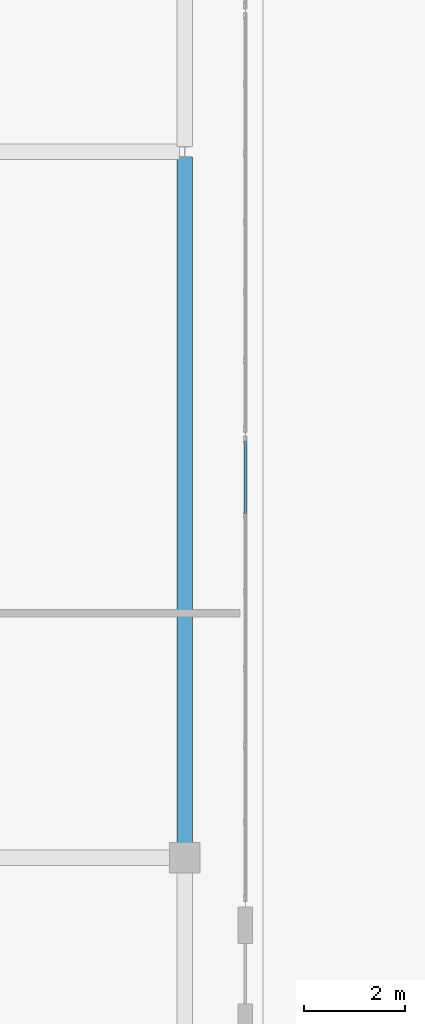
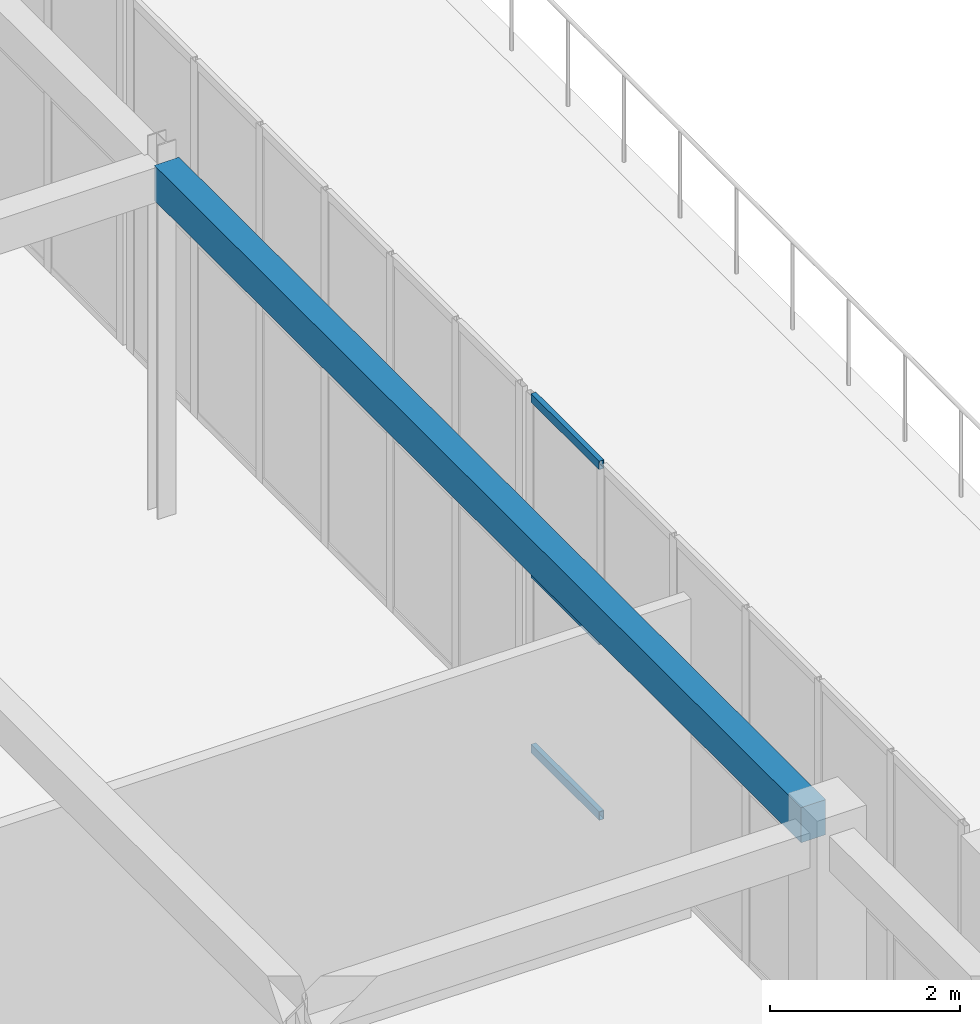
# One storey, part 80 of 158: 3 members, 1 beam, 1 element without a shape of its own.
"""IFC4 building model written with IfcOpenShell, lengths in metres."""

from ifc_helpers import new_model, si_unit, direction, frame, origin, origin_2d, place, context, subcontext, project, spatial, rectangle, hollow_rectangle, extrude, material, layer, layer_set, material_profile, profile_set, type_object, element, aggregate, save


model = new_model("IFC4")

# Units and contexts
model_context = context("Model", 3, precision=1e-05, world=origin(), true_north=direction((0.0, 1.0)))
body_context = subcontext(model_context, "Body", "Model", "MODEL_VIEW")
ifc_project = project(units=[si_unit("LENGTHUNIT", "METRE"), si_unit("AREAUNIT", "SQUARE_METRE"), si_unit("VOLUMEUNIT", "CUBIC_METRE"), si_unit("PLANEANGLEUNIT", "RADIAN"), si_unit("MASSUNIT", "GRAM", prefix="KILO")], contexts=[model_context])

# Site, building, storey
site_placement = place(None, origin())
site = spatial("IfcSite", under=ifc_project, at=site_placement, CompositionType="ELEMENT")
building_placement = place(site_placement, origin())
building = spatial("IfcBuilding", under=site, at=building_placement, Name="Trelvath General Hospital", CompositionType="ELEMENT")
storey_placement = place(building_placement, frame((0.0, 0.0, 8.10009765625)))
storey = spatial("IfcBuildingStorey", under=building, at=storey_placement, Name="L02", CompositionType="ELEMENT", Elevation=8.10009765625)

# Beam
ifc_material_1 = material(Name="Concrete C35/45", Category="concrete")
ifc_material_profile_1 = material_profile(ifc_material_1, rectangle(XDim=0.300048828125, YDim=0.449951171875, at=origin_2d()), Name="RCB300x450")
ifc_profile_set_1 = profile_set([ifc_material_profile_1], Name="Concrete C35/45")
beam_type = type_object("IfcBeamType", Name="Beam RC300x450", PredefinedType="BEAM", material=ifc_profile_set_1)
beam_placement = place(storey_placement, frame((113.60009765625, 59.095947265625, 4.3349609375), z_axis=(0.0, 1.0, 0.0), x_axis=(-1.0, 0.0, 0.0)))
element("IfcBeam", 1, at=beam_placement, inside=storey, type_object=beam_type, Name="Cube Interior Ring Beam CUBE-E-T1 L02", PredefinedType="BEAM", context=body_context, shape_type="SweptSolid", body=[
    extrude(rectangle(XDim=0.300048828125, YDim=0.449951171875, at=origin_2d()), origin(), (0.0, 0.0, 1.0), 13.59814453125),
])

# Curtain wall, members
ifc_material_2 = material(Name="Anodised aluminium and low-E glass", Category="aluminium")
ifc_layer = layer(ifc_material_2, 0.139892578125)
ifc_layer_set = layer_set([ifc_layer], Name="Anodised aluminium and low-E glass")
curtain_wall_type = type_object("IfcCurtainWallType", Name="CW CrystalCube 914 456 14", PredefinedType="USERDEFINED", material=ifc_layer_set)
curtain_wall_placement = place(storey_placement, origin())
curtain_wall = element("IfcCurtainWall", 2, at=curtain_wall_placement, inside=storey, type_object=curtain_wall_type, Name="Crystal Cube Curtain Wall CUBE-E-T1 E5 L02", ObjectType="Unitised Glazed Curtain Wall", PredefinedType="USERDEFINED")
ifc_material_3 = material(Name="Anodised aluminium", Category="aluminium")
ifc_material_profile_2 = material_profile(ifc_material_3, hollow_rectangle(XDim=0.06005859375, YDim=0.110107421875, WallThickness=0.00390625, at=origin_2d()), Name="RHS60x110x4")
ifc_profile_set_2 = profile_set([ifc_material_profile_2], Name="Anodised aluminium")
member_type = type_object("IfcMemberType", Name="CurtainTransom 60x110", PredefinedType="USERDEFINED", material=ifc_profile_set_2)
member_1_placement = place(storey_placement, frame((114.800048828125, 67.06005859375, 0.02978515625), z_axis=(0.0, -1.0, 0.0), x_axis=(1.0, 0.0, 0.0)))
member_1 = element("IfcMember", 3, at=member_1_placement, type_object=member_type, Name="CW-215 transom 1.1", ObjectType="TRANSOM", PredefinedType="USERDEFINED", context=body_context, shape_type="SweptSolid", body=[
    extrude(hollow_rectangle(XDim=0.06005859375, YDim=0.110107421875, WallThickness=0.00390625, at=origin_2d()), origin(), (0.0, 0.0, 1.0), 1.433349609375),
])
member_2_placement = place(storey_placement, frame((114.800048828125, 67.06005859375, 2.27978515625), z_axis=(0.0, -1.0, 0.0), x_axis=(1.0, 0.0, 0.0)))
member_2 = element("IfcMember", 4, at=member_2_placement, type_object=member_type, Name="CW-215 transom 1.2", ObjectType="TRANSOM", PredefinedType="USERDEFINED", context=body_context, shape_type="SweptSolid", body=[
    extrude(hollow_rectangle(XDim=0.06005859375, YDim=0.110107421875, WallThickness=0.00390625, at=origin_2d()), origin(), (0.0, 0.0, 1.0), 1.433349609375),
])
member_3_placement = place(storey_placement, frame((114.800048828125, 67.06005859375, 4.52978515625), z_axis=(0.0, -1.0, 0.0), x_axis=(1.0, 0.0, 0.0)))
member_3 = element("IfcMember", 5, at=member_3_placement, type_object=member_type, Name="CW-215 transom 1.3", ObjectType="TRANSOM", PredefinedType="USERDEFINED", context=body_context, shape_type="SweptSolid", body=[
    extrude(hollow_rectangle(XDim=0.06005859375, YDim=0.110107421875, WallThickness=0.00390625, at=origin_2d()), origin(), (0.0, 0.0, 1.0), 1.433349609375),
])
aggregate(curtain_wall, [member_1, member_2, member_3])

save(model, "model.ifc")
